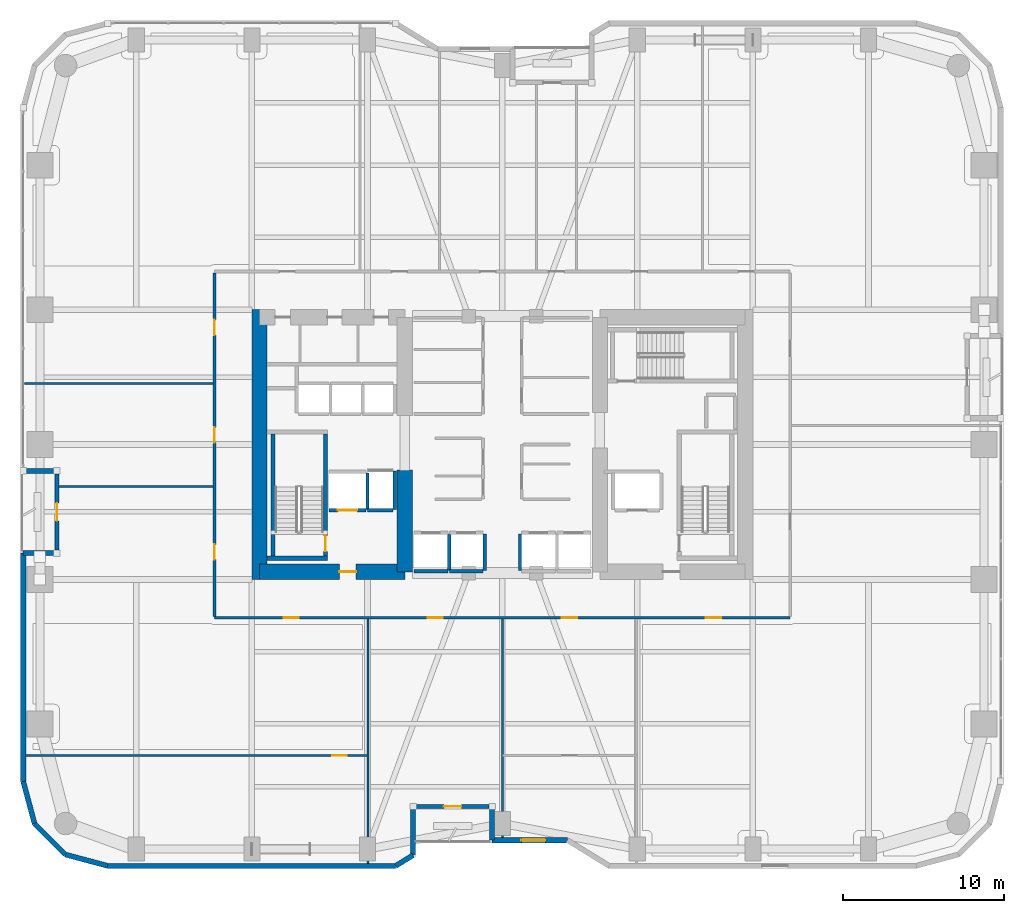
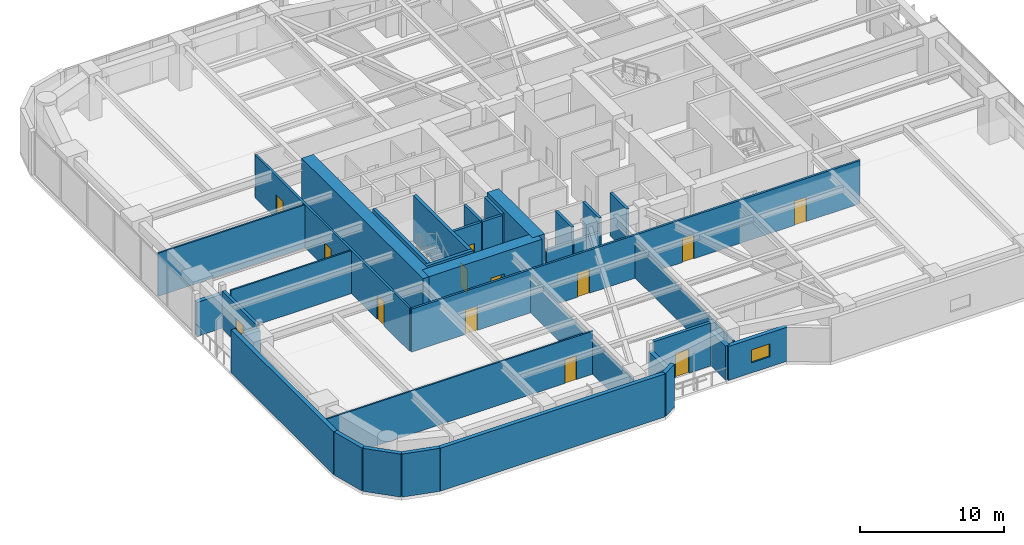
# One storey, part 22 of 28: 35 walls, 13 doors, 1 window, 14 openings.
"""IFC4 building model written with IfcOpenShell, lengths in metres."""

from ifc_helpers import new_model, si_unit, direction, frame, frame_2d, origin, place, context, subcontext, project, spatial, rectangle, extrude, material, layer, layer_set, type_object, element, fill, save


model = new_model("IFC4")

# Units and contexts
model_context = context("Model", 3, precision=1e-05, world=origin(), true_north=direction((0.0, 1.0)))
body_context = subcontext(model_context, "Body", "Model", "MODEL_VIEW")
ifc_project = project(units=[si_unit("LENGTHUNIT", "METRE"), si_unit("AREAUNIT", "SQUARE_METRE"), si_unit("VOLUMEUNIT", "CUBIC_METRE"), si_unit("PLANEANGLEUNIT", "RADIAN"), si_unit("MASSUNIT", "GRAM", prefix="KILO")], contexts=[model_context])

# Site, building, storey
site_placement = place(None, origin())
site = spatial("IfcSite", under=ifc_project, at=site_placement, CompositionType="ELEMENT")
building_placement = place(site_placement, origin())
building = spatial("IfcBuilding", under=site, at=building_placement, Name="Kiyonajd Concourse Tower", CompositionType="ELEMENT")
storey_placement = place(building_placement, frame((0.0, 0.0, 41.10009765625)))
storey = spatial("IfcBuildingStorey", under=building, at=storey_placement, Name="L11", CompositionType="ELEMENT", Elevation=41.10009765625)

# Walls
ifc_material_1 = material(Name="Concrete C80/95", Category="concrete")
ifc_layer_1 = layer(ifc_material_1, 0.949951171875)
ifc_layer_set_1 = layer_set([ifc_layer_1], Name="Concrete C80/95")
wall_type_1 = type_object("IfcWallType", Name="WL-CORE-950", PredefinedType="SHEAR", material=ifc_layer_set_1)
wall_1_placement = place(storey_placement, frame((32.875, 27.60009765625, 0.0), z_axis=(0.0, 0.0, 1.0), x_axis=(0.0, 1.0, 0.0)))
element("IfcWall", 1, at=wall_1_placement, inside=storey, type_object=wall_type_1, Name="L11 West Core Outer Shear Wall", PredefinedType="SHEAR", context=body_context, shape_type="SweptSolid", body=[
    extrude(rectangle(XDim=16.7998046875, YDim=0.949951171875, at=frame_2d((8.39990234375, 0.0))), origin(), (0.0, 0.0, 1.0), 3.89990234375),
])
wall_2_placement = place(storey_placement, frame((41.925048828125, 28.074951171875, 0.0), z_axis=(0.0, 0.0, 1.0), x_axis=(0.0, 1.0, 0.0)))
element("IfcWall", 2, at=wall_2_placement, inside=storey, type_object=wall_type_1, Name="L11 West Core Inner South Shear Wall", PredefinedType="SHEAR", context=body_context, shape_type="SweptSolid", body=[
    extrude(rectangle(XDim=6.324951171875, YDim=0.949951171875, at=frame_2d((3.16259765625, 0.0))), origin(), (0.0, 0.0, 1.0), 3.89990234375),
])

# Wall, opening, door
wall_3_placement = place(storey_placement, frame((32.875, 28.074951171875, 0.0), z_axis=(0.0, 0.0, 1.0), x_axis=(1.0, 0.0, 0.0)))
wall_3 = element("IfcWall", 3, at=wall_3_placement, inside=storey, type_object=wall_type_1, Name="L11 West Core South Shear Wall", PredefinedType="SHEAR", context=body_context, shape_type="SweptSolid", body=[
    extrude(rectangle(XDim=9.050048828125, YDim=0.949951171875, at=frame_2d((4.52490234375, 0.0))), origin(), (0.0, 0.0, 1.0), 3.89990234375),
])
opening_1_placement = place(wall_3_placement, frame((4.97509765625, 0.0, 0.0)))
opening_1 = element("IfcOpeningElement", 4, at=opening_1_placement, cuts=wall_3, Name="Opening DF5", PredefinedType="OPENING", context=body_context, shape_type="SweptSolid", body=[
    extrude(rectangle(XDim=1.050048828125, YDim=2.0400390625, at=frame_2d((0.52490234375, 1.02001953125))), frame((0.0, 0.48486328125, 0.0), z_axis=(0.0, -1.0, 0.0), x_axis=(1.0, 0.0, 0.0)), (0.0, 0.0, 1.0), 0.969970703125),
])
ifc_material_2 = material(Name="Brushed Stainless Steel Cab Assembly", Category="steel")
door_type_1 = type_object("IfcDoorType", Name="DR-FD45-1050", OperationType="NOTDEFINED", PredefinedType="DOOR", material=ifc_material_2)
door_1_placement = place(opening_1_placement, origin())
door_1 = element("IfcDoor", 5, at=door_1_placement, inside=storey, type_object=door_type_1, Name="L11 Firefighting Lift Lobby W Smoke Door", OperationType="SINGLE_SWING_LEFT", OverallHeight=2.0400390625, OverallWidth=1.050048828125, PredefinedType="DOOR", context=body_context, shape_type="SweptSolid", body=[
    extrude(rectangle(XDim=1.050048828125, YDim=2.0400390625, at=frame_2d((0.52490234375, 1.02001953125))), frame((0.0, 0.02490234375, 0.0), z_axis=(0.0, -1.0, 0.0), x_axis=(1.0, 0.0, 0.0)), (0.0, 0.0, 1.0), 0.050048828125),
])
fill(opening_1, door_1)

# Walls
ifc_material_3 = material(Name="Precast concrete C50/60", Category="concrete")
ifc_layer_2 = layer(ifc_material_3, 0.320068359375)
ifc_layer_set_2 = layer_set([ifc_layer_2], Name="Precast concrete C50/60")
wall_type_2 = type_object("IfcWallType", Name="WL-EXT-320", PredefinedType="SOLIDWALL", material=ifc_layer_set_2)
wall_4_placement = place(storey_placement, frame((18.866455078125, 12.3828125, 0.0), z_axis=(0.0, 0.0, 1.0), x_axis=(-0.25869736047, 0.965958423373, 0.0)))
element("IfcWall", 6, at=wall_4_placement, inside=storey, type_object=wall_type_2, Name="L11 Exterior Concrete Frame Wall 00", PredefinedType="SOLIDWALL", context=body_context, shape_type="SweptSolid", body=[
    extrude(rectangle(XDim=2.731201171875, YDim=0.320068359375, at=frame_2d((1.36572265625, 0.0))), origin(), (0.0, 0.0, 1.0), 3.639892578125),
])
wall_5_placement = place(storey_placement, frame((18.159912109375, 15.02099609375, 0.0), z_axis=(0.0, 0.0, 1.0), x_axis=(0.0, 1.0, 0.0)))
element("IfcWall", 7, at=wall_5_placement, inside=storey, type_object=wall_type_2, Name="L11 Exterior Concrete Frame Wall 01", PredefinedType="SOLIDWALL", context=body_context, shape_type="SweptSolid", body=[
    extrude(rectangle(XDim=14.218994140625, YDim=0.320068359375, at=frame_2d((7.109375, 0.0))), origin(), (0.0, 0.0, 1.0), 3.639892578125),
])
for number, where, z_axis, x_axis, name in (
    (8, (18.159912109375, 29.239990234375, 0.0), (0.0, 0.0, 1.0), (1.0, 0.0, 0.0), "L11 Exterior Concrete Frame Wall 02"),
    (9, (20.260009765625, 34.360107421875, 0.0), (0.0, 0.0, 1.0), (-1.0, 0.0, 0.0), "L11 Exterior Concrete Frame Wall 04"),
):
    element("IfcWall", number, at=place(storey_placement, frame(where, z_axis=z_axis, x_axis=x_axis)), inside=storey, type_object=wall_type_2, Name=name, PredefinedType="SOLIDWALL", context=body_context, shape_type="SweptSolid", body=[
        extrude(rectangle(XDim=2.10009765625, YDim=0.320068359375, at=frame_2d((1.050048828125, 0.0))), origin(), (0.0, 0.0, 1.0), 2.875),
    ])

# Wall, opening, window
wall_6_placement = place(storey_placement, frame((52.04541015625, 11.360107421875, 0.0), z_axis=(0.0, 0.0, 1.0), x_axis=(-1.0, 0.0, 0.0)))
wall_6 = element("IfcWall", 10, at=wall_6_placement, inside=storey, type_object=wall_type_2, Name="L11 Exterior Concrete Frame Wall 30", PredefinedType="SOLIDWALL", context=body_context, shape_type="SweptSolid", body=[
    extrude(rectangle(XDim=4.685302734375, YDim=0.320068359375, at=frame_2d((2.3427734375, 0.0))), origin(), (0.0, 0.0, 1.0), 2.875),
])
opening_2_placement = place(wall_6_placement, frame((1.367919921875, 0.0, 0.85009765625)))
opening_2 = element("IfcOpeningElement", 11, at=opening_2_placement, cuts=wall_6, Name="Opening WN2", PredefinedType="OPENING", context=body_context, shape_type="SweptSolid", body=[
    extrude(rectangle(XDim=1.5, YDim=1.10009765625, at=frame_2d((0.75, 0.550048828125))), frame((0.0, 0.169921875, 0.0), z_axis=(0.0, -1.0, 0.0), x_axis=(1.0, 0.0, 0.0)), (0.0, 0.0, 1.0), 0.340087890625),
])
ifc_material_4 = material(Name="Double Low-E Insulated Glass", Category="glass")
window_type = type_object("IfcWindowType", Name="WN-VIS-1500x1100", PartitioningType="SINGLE_PANEL", PredefinedType="WINDOW", material=ifc_material_4)
window_placement = place(opening_2_placement, origin())
window = element("IfcWindow", 12, at=window_placement, inside=storey, type_object=window_type, Name="L11 Modular Facade Vision Window 30", OverallHeight=1.10009765625, OverallWidth=1.5, PartitioningType="SINGLE_PANEL", PredefinedType="WINDOW", context=body_context, shape_type="SweptSolid", body=[
    extrude(rectangle(XDim=1.5, YDim=1.10009765625, at=frame_2d((0.75, 0.550048828125))), frame((0.0, 0.030029296875, 0.0), z_axis=(0.0, -1.0, 0.0), x_axis=(1.0, 0.0, 0.0)), (0.0, 0.0, 1.0), 0.06005859375),
])
fill(opening_2, window)

# Walls
wall_7_placement = place(storey_placement, frame((47.360107421875, 11.360107421875, 0.0), z_axis=(0.0, 0.0, 1.0), x_axis=(0.0, 1.0, 0.0)))
element("IfcWall", 13, at=wall_7_placement, inside=storey, type_object=wall_type_2, Name="L11 Exterior Concrete Frame Wall 31", PredefinedType="SOLIDWALL", context=body_context, shape_type="SweptSolid", body=[
    extrude(rectangle(XDim=2.099853515625, YDim=0.320068359375, at=frame_2d((1.0498046875, 0.0))), origin(), (0.0, 0.0, 1.0), 2.875),
])
wall_8_placement = place(storey_placement, frame((42.43994140625, 13.4599609375, 0.0), z_axis=(0.0, 0.0, 1.0), x_axis=(0.0, -1.0, 0.0)))
element("IfcWall", 14, at=wall_8_placement, inside=storey, type_object=wall_type_2, Name="L11 Exterior Concrete Frame Wall 33", PredefinedType="SOLIDWALL", context=body_context, shape_type="SweptSolid", body=[
    extrude(rectangle(XDim=3.032470703125, YDim=0.320068359375, at=frame_2d((1.51611328125, 0.0))), origin(), (0.0, 0.0, 1.0), 2.875),
])
wall_9_placement = place(storey_placement, frame((42.43994140625, 10.427490234375, 0.0), z_axis=(0.0, 0.0, 1.0), x_axis=(-0.851776724646, -0.523904964045, 0.0)))
element("IfcWall", 15, at=wall_9_placement, inside=storey, type_object=wall_type_2, Name="L11 Exterior Concrete Frame Wall 34", PredefinedType="SOLIDWALL", context=body_context, shape_type="SweptSolid", body=[
    extrude(rectangle(XDim=1.274169921875, YDim=0.320068359375, at=frame_2d((0.63720703125, 0.0))), origin(), (0.0, 0.0, 1.0), 3.639892578125),
])
wall_10_placement = place(storey_placement, frame((41.354736328125, 9.760009765625, 0.0), z_axis=(0.0, 0.0, 1.0), x_axis=(-1.0, 0.0, 0.0)))
element("IfcWall", 16, at=wall_10_placement, inside=storey, type_object=wall_type_2, Name="L11 Exterior Concrete Frame Wall 35", PredefinedType="SOLIDWALL", context=body_context, shape_type="SweptSolid", body=[
    extrude(rectangle(XDim=17.93359375, YDim=0.320068359375, at=frame_2d((8.966796875, 0.0))), origin(), (0.0, 0.0, 1.0), 3.639892578125),
])
wall_11_placement = place(storey_placement, frame((23.421142578125, 9.760009765625, 0.0), z_axis=(0.0, 0.0, 1.0), x_axis=(-0.965964405026, 0.25867502435, 0.0)))
element("IfcWall", 17, at=wall_11_placement, inside=storey, type_object=wall_type_2, Name="L11 Exterior Concrete Frame Wall 36", PredefinedType="SOLIDWALL", context=body_context, shape_type="SweptSolid", body=[
    extrude(rectangle(XDim=2.7314453125, YDim=0.320068359375, at=frame_2d((1.36572265625, 0.0))), origin(), (0.0, 0.0, 1.0), 3.639892578125),
])
wall_12_placement = place(storey_placement, frame((20.78271484375, 10.466552734375, 0.0), z_axis=(0.0, 0.0, 1.0), x_axis=(-0.707106781187, 0.707106781187, 0.0)))
element("IfcWall", 18, at=wall_12_placement, inside=storey, type_object=wall_type_2, Name="L11 Exterior Concrete Frame Wall 37", PredefinedType="SOLIDWALL", context=body_context, shape_type="SweptSolid", body=[
    extrude(rectangle(XDim=2.7099609375, YDim=0.320068359375, at=frame_2d((1.35498046875, 0.0))), origin(), (0.0, 0.0, 1.0), 3.639892578125),
])

# Wall, opening, door
ifc_layer_3 = layer(ifc_material_3, 0.239990234375)
ifc_layer_set_3 = layer_set([ifc_layer_3], Name="Precast concrete C50/60")
wall_type_3 = type_object("IfcWallType", Name="WL-LOG-240", PredefinedType="SOLIDWALL", material=ifc_layer_set_3)
wall_13_placement = place(storey_placement, frame((20.260009765625, 29.43505859375, 0.0), z_axis=(0.0, 0.0, 1.0), x_axis=(0.0, 1.0, 0.0)))
wall_13 = element("IfcWall", 19, at=wall_13_placement, inside=storey, type_object=wall_type_3, Name="L11 Recessed Loggia Thermal Wall LOG-W", PredefinedType="SOLIDWALL", context=body_context, shape_type="SweptSolid", body=[
    extrude(rectangle(XDim=4.72998046875, YDim=0.239990234375, at=frame_2d((2.364990234375, 0.0))), origin(), (0.0, 0.0, 1.0), 3.161865234375),
])
opening_3_placement = place(wall_13_placement, frame((1.81494140625, 0.0, 0.0)))
opening_3 = element("IfcOpeningElement", 20, at=opening_3_placement, cuts=wall_13, Name="Opening DL2", PredefinedType="OPENING", context=body_context, shape_type="SweptSolid", body=[
    extrude(rectangle(XDim=1.10009765625, YDim=2.0400390625, at=frame_2d((0.550048828125, 1.02001953125))), frame((0.0, 0.1298828125, 0.0), z_axis=(0.0, -1.0, 0.0), x_axis=(1.0, 0.0, 0.0)), (0.0, 0.0, 1.0), 0.260009765625),
])
ifc_material_5 = material(Name="Thermally Broken Anodised Aluminium", Category="aluminium")
door_type_2 = type_object("IfcDoorType", Name="DR-LOG-1100", OperationType="NOTDEFINED", PredefinedType="DOOR", material=ifc_material_5)
door_2_placement = place(opening_3_placement, origin())
door_2 = element("IfcDoor", 21, at=door_2_placement, inside=storey, type_object=door_type_2, Name="L11 Engawa Loggia Access Door LOG-W", OperationType="SINGLE_SWING_LEFT", OverallHeight=2.0400390625, OverallWidth=1.10009765625, PredefinedType="DOOR", context=body_context, shape_type="SweptSolid", body=[
    extrude(rectangle(XDim=1.10009765625, YDim=2.0400390625, at=frame_2d((0.550048828125, 1.02001953125))), frame((0.0, 0.02490234375, 0.0), z_axis=(0.0, -1.0, 0.0), x_axis=(1.0, 0.0, 0.0)), (0.0, 0.0, 1.0), 0.050048828125),
])
fill(opening_3, door_2)

wall_14_placement = place(storey_placement, frame((47.1650390625, 13.4599609375, 0.0), z_axis=(0.0, 0.0, 1.0), x_axis=(-1.0, 0.0, 0.0)))
wall_14 = element("IfcWall", 22, at=wall_14_placement, inside=storey, type_object=wall_type_3, Name="L11 Recessed Loggia Thermal Wall LOG-S", PredefinedType="SOLIDWALL", context=body_context, shape_type="SweptSolid", body=[
    extrude(rectangle(XDim=4.530029296875, YDim=0.239990234375, at=frame_2d((2.26513671875, 0.0))), origin(), (0.0, 0.0, 1.0), 3.639892578125),
])
opening_4_placement = place(wall_14_placement, frame((1.715087890625, 0.0, 0.0)))
opening_4 = element("IfcOpeningElement", 23, at=opening_4_placement, cuts=wall_14, Name="Opening DL2", PredefinedType="OPENING", context=body_context, shape_type="SweptSolid", body=[
    extrude(rectangle(XDim=1.10009765625, YDim=2.0400390625, at=frame_2d((0.550048828125, 1.02001953125))), frame((0.0, 0.1298828125, 0.0), z_axis=(0.0, -1.0, 0.0), x_axis=(1.0, 0.0, 0.0)), (0.0, 0.0, 1.0), 0.260009765625),
])
door_3_placement = place(opening_4_placement, origin())
door_3 = element("IfcDoor", 24, at=door_3_placement, inside=storey, type_object=door_type_2, Name="L11 Engawa Loggia Access Door LOG-S", OperationType="SINGLE_SWING_RIGHT", OverallHeight=2.0400390625, OverallWidth=1.10009765625, PredefinedType="DOOR", context=body_context, shape_type="SweptSolid", body=[
    extrude(rectangle(XDim=1.10009765625, YDim=2.0400390625, at=frame_2d((0.550048828125, 1.02001953125))), frame((0.0, 0.02490234375, 0.0), z_axis=(0.0, -1.0, 0.0), x_axis=(1.0, 0.0, 0.0)), (0.0, 0.0, 1.0), 0.050048828125),
])
fill(opening_4, door_3)

ifc_material_6 = material(Name="Gypsum Board on Cold-Formed Steel Stud", Category="steel")
ifc_layer_4 = layer(ifc_material_6, 0.125)
ifc_layer_set_4 = layer_set([ifc_layer_4], Name="Gypsum Board on Cold-Formed Steel Stud")
wall_type_4 = type_object("IfcWallType", Name="WL-PART-125", PredefinedType="PARTITIONING", material=ifc_layer_set_4)
wall_15_placement = place(storey_placement, frame((18.31494140625, 16.6298828125, 0.0), z_axis=(0.0, 0.0, 1.0), x_axis=(1.0, 0.0, 0.0)))
wall_15 = element("IfcWall", 25, at=wall_15_placement, inside=storey, type_object=wall_type_4, Name="L11 Interior Partition Wall", PredefinedType="PARTITIONING", context=body_context, shape_type="SweptSolid", body=[
    extrude(rectangle(XDim=21.324951171875, YDim=0.125, at=frame_2d((10.66259765625, 0.0))), origin(), (0.0, 0.0, 1.0), 3.639892578125),
])
opening_5_placement = place(wall_15_placement, frame((19.0849609375, 0.0, 0.0)))
opening_5 = element("IfcOpeningElement", 26, at=opening_5_placement, cuts=wall_15, Name="Opening DI2", PredefinedType="OPENING", context=body_context, shape_type="SweptSolid", body=[
    extrude(rectangle(XDim=0.89990234375, YDim=2.02001953125, at=frame_2d((0.449951171875, 1.010009765625))), frame((0.0, 0.072509765625, 0.0), z_axis=(0.0, -1.0, 0.0), x_axis=(1.0, 0.0, 0.0)), (0.0, 0.0, 1.0), 0.14501953125),
])
ifc_material_7 = material(Name="Natural Oak Acoustic Timber Veneer", Category="wood")
door_type_3 = type_object("IfcDoorType", Name="DR-INT-900", OperationType="NOTDEFINED", PredefinedType="DOOR", material=ifc_material_7)
door_4_placement = place(opening_5_placement, origin())
door_4 = element("IfcDoor", 27, at=door_4_placement, inside=storey, type_object=door_type_3, Name="L11 Interior Door", OperationType="SINGLE_SWING_LEFT", OverallHeight=2.02001953125, OverallWidth=0.89990234375, PredefinedType="DOOR", context=body_context, shape_type="SweptSolid", body=[
    extrude(rectangle(XDim=0.89990234375, YDim=2.02001953125, at=frame_2d((0.449951171875, 1.010009765625))), frame((0.0, 0.02490234375, 0.0), z_axis=(0.0, -1.0, 0.0), x_axis=(1.0, 0.0, 0.0)), (0.0, 0.0, 1.0), 0.050048828125),
])
fill(opening_5, door_4)

# Walls
wall_16_placement = place(storey_placement, frame((39.639892578125, 9.9150390625, 0.0), z_axis=(0.0, 0.0, 1.0), x_axis=(0.0, 1.0, 0.0)))
element("IfcWall", 28, at=wall_16_placement, inside=storey, type_object=wall_type_4, Name="L11 Interior Partition Wall", PredefinedType="PARTITIONING", context=body_context, shape_type="SweptSolid", body=[
    extrude(rectangle(XDim=15.218017578125, YDim=0.125, at=frame_2d((7.60888671875, 0.0))), origin(), (0.0, 0.0, 1.0), 2.929931640625),
])
wall_17_placement = place(storey_placement, frame((48.0, 11.514892578125, 0.0), z_axis=(0.0, 0.0, 1.0), x_axis=(0.0, 1.0, 0.0)))
element("IfcWall", 29, at=wall_17_placement, inside=storey, type_object=wall_type_4, Name="L11 Interior Partition Wall", PredefinedType="PARTITIONING", context=body_context, shape_type="SweptSolid", body=[
    extrude(rectangle(XDim=13.6181640625, YDim=0.125, at=frame_2d((6.80908203125, 0.0))), origin(), (0.0, 0.0, 1.0), 2.929931640625),
])
wall_18_placement = place(storey_placement, frame((20.375, 33.39990234375, 0.0), z_axis=(0.0, 0.0, 1.0), x_axis=(1.0, 0.0, 0.0)))
element("IfcWall", 30, at=wall_18_placement, inside=storey, type_object=wall_type_4, Name="L11 Interior Partition Wall", PredefinedType="PARTITIONING", context=body_context, shape_type="SweptSolid", body=[
    extrude(rectangle(XDim=9.613037109375, YDim=0.125, at=frame_2d((4.806640625, 0.0))), origin(), (0.0, 0.0, 1.0), 3.639892578125),
])
wall_19_placement = place(storey_placement, frame((18.2451171875, 39.800048828125, 0.0), z_axis=(0.0, 0.0, 1.0), x_axis=(1.0, 0.0, 0.0)))
element("IfcWall", 31, at=wall_19_placement, inside=storey, type_object=wall_type_4, Name="L11 Interior Partition Wall", PredefinedType="PARTITIONING", context=body_context, shape_type="SweptSolid", body=[
    extrude(rectangle(XDim=11.742919921875, YDim=0.125, at=frame_2d((5.87158203125, 0.0))), origin(), (0.0, 0.0, 1.0), 3.639892578125),
])

# Wall, opening, door
ifc_layer_5 = layer(ifc_material_6, 0.2099609375)
ifc_layer_set_5 = layer_set([ifc_layer_5], Name="Gypsum Board on Cold-Formed Steel Stud")
wall_type_5 = type_object("IfcWallType", Name="WL-SHAFT-210", PredefinedType="PARTITIONING", material=ifc_layer_set_5)
wall_20_placement = place(storey_placement, frame((37.199951171875, 31.89990234375, 0.0), z_axis=(0.0, 0.0, 1.0), x_axis=(1.0, 0.0, 0.0)))
wall_20 = element("IfcWall", 32, at=wall_20_placement, inside=storey, type_object=wall_type_5, Name="L11 Shaft Enclosure Wall", PredefinedType="PARTITIONING", context=body_context, shape_type="SweptSolid", body=[
    extrude(rectangle(XDim=2.300048828125, YDim=0.2099609375, at=frame_2d((1.14990234375, 0.0))), origin(), (0.0, 0.0, 1.0), 3.639892578125),
])
opening_6_placement = place(wall_20_placement, frame((0.550048828125, 0.0, 0.0)))
opening_6 = element("IfcOpeningElement", 33, at=opening_6_placement, cuts=wall_20, Name="Opening LD2", PredefinedType="OPENING", context=body_context, shape_type="SweptSolid", body=[
    extrude(rectangle(XDim=1.199951171875, YDim=2.0400390625, at=frame_2d((0.60009765625, 1.02001953125))), frame((0.0, 0.114990234375, 0.0), z_axis=(0.0, -1.0, 0.0), x_axis=(1.0, 0.0, 0.0)), (0.0, 0.0, 1.0), 0.22998046875),
])
door_type_4 = type_object("IfcDoorType", Name="DR-LD-1200", OperationType="DOUBLE_DOOR_SLIDING", PredefinedType="DOOR", material=ifc_material_2)
door_5_placement = place(opening_6_placement, origin())
door_5 = element("IfcDoor", 34, at=door_5_placement, inside=storey, type_object=door_type_4, Name="L11 Lift FFL1 Sliding Landing Door", OperationType="DOUBLE_DOOR_SLIDING", OverallHeight=2.0400390625, OverallWidth=1.199951171875, PredefinedType="DOOR", context=body_context, shape_type="SweptSolid", body=[
    extrude(rectangle(XDim=1.199951171875, YDim=2.0400390625, at=frame_2d((0.60009765625, 1.02001953125))), frame((0.0, 0.02490234375, 0.0), z_axis=(0.0, -1.0, 0.0), x_axis=(1.0, 0.0, 0.0)), (0.0, 0.0, 1.0), 0.050048828125),
])
fill(opening_6, door_5)

# Walls
wall_21_placement = place(storey_placement, frame((39.60009765625, 31.9599609375, 0.0), z_axis=(0.0, 0.0, 1.0), x_axis=(0.0, 1.0, 0.0)))
element("IfcWall", 35, at=wall_21_placement, inside=storey, type_object=wall_type_5, Name="L11 Shaft Enclosure Wall", PredefinedType="PARTITIONING", context=body_context, shape_type="SweptSolid", body=[
    extrude(rectangle(XDim=2.280029296875, YDim=0.2099609375, at=frame_2d((1.14013671875, 0.0))), origin(), (0.0, 0.0, 1.0), 3.639892578125),
])
wall_22_placement = place(storey_placement, frame((39.60009765625, 31.89990234375, 0.0), z_axis=(0.0, 0.0, 1.0), x_axis=(1.0, 0.0, 0.0)))
element("IfcWall", 36, at=wall_22_placement, inside=storey, type_object=wall_type_5, Name="L11 Shaft Enclosure Wall", PredefinedType="PARTITIONING", context=body_context, shape_type="SweptSolid", body=[
    extrude(rectangle(XDim=1.599853515625, YDim=0.2099609375, at=frame_2d((0.7998046875, 0.0))), origin(), (0.0, 0.0, 1.0), 3.639892578125),
])
wall_23_placement = place(storey_placement, frame((41.300048828125, 31.9599609375, 0.0), z_axis=(0.0, 0.0, 1.0), x_axis=(0.0, 1.0, 0.0)))
element("IfcWall", 37, at=wall_23_placement, inside=storey, type_object=wall_type_5, Name="L11 Shaft Enclosure Wall", PredefinedType="PARTITIONING", context=body_context, shape_type="SweptSolid", body=[
    extrude(rectangle(XDim=2.380126953125, YDim=0.2099609375, at=frame_2d((1.18994140625, 0.0))), origin(), (0.0, 0.0, 1.0), 3.639892578125),
])
wall_24_placement = place(storey_placement, frame((42.5, 28.10009765625, 0.0), z_axis=(0.0, 0.0, 1.0), x_axis=(1.0, 0.0, 0.0)))
element("IfcWall", 38, at=wall_24_placement, inside=storey, type_object=wall_type_5, Name="L11 Shaft Enclosure Wall", PredefinedType="PARTITIONING", context=body_context, shape_type="SweptSolid", body=[
    extrude(rectangle(XDim=2.10009765625, YDim=0.2099609375, at=frame_2d((1.050048828125, 0.0))), origin(), (0.0, 0.0, 1.0), 2.52490234375),
])
wall_25_placement = place(storey_placement, frame((44.699951171875, 28.159912109375, 0.0), z_axis=(0.0, 0.0, 1.0), x_axis=(0.0, 1.0, 0.0)))
element("IfcWall", 39, at=wall_25_placement, inside=storey, type_object=wall_type_5, Name="L11 Shaft Enclosure Wall", PredefinedType="PARTITIONING", context=body_context, shape_type="SweptSolid", body=[
    extrude(rectangle(XDim=2.280029296875, YDim=0.2099609375, at=frame_2d((1.14013671875, 0.0))), origin(), (0.0, 0.0, 1.0), 3.639892578125),
])
wall_26_placement = place(storey_placement, frame((44.699951171875, 28.10009765625, 0.0), z_axis=(0.0, 0.0, 1.0), x_axis=(1.0, 0.0, 0.0)))
element("IfcWall", 40, at=wall_26_placement, inside=storey, type_object=wall_type_5, Name="L11 Shaft Enclosure Wall", PredefinedType="PARTITIONING", context=body_context, shape_type="SweptSolid", body=[
    extrude(rectangle(XDim=2.10009765625, YDim=0.2099609375, at=frame_2d((1.050048828125, 0.0))), origin(), (0.0, 0.0, 1.0), 2.52490234375),
])
for number, where, z_axis, x_axis, name in (
    (41, (46.89990234375, 28.159912109375, 0.0), (0.0, 0.0, 1.0), (0.0, 1.0, 0.0), "L11 Shaft Enclosure Wall"),
    (42, (49.10009765625, 28.159912109375, 0.0), (0.0, 0.0, 1.0), (0.0, 1.0, 0.0), "L11 Shaft Enclosure Wall"),
):
    element("IfcWall", number, at=place(storey_placement, frame(where, z_axis=z_axis, x_axis=x_axis)), inside=storey, type_object=wall_type_5, Name=name, PredefinedType="PARTITIONING", context=body_context, shape_type="SweptSolid", body=[
        extrude(rectangle(XDim=2.280029296875, YDim=0.2099609375, at=frame_2d((1.14013671875, 0.0))), origin(), (0.0, 0.0, 1.0), 3.639892578125),
    ])

# Wall, openings, doors
ifc_layer_6 = layer(ifc_material_6, 0.169921875)
ifc_layer_set_6 = layer_set([ifc_layer_6], Name="Gypsum Board on Cold-Formed Steel Stud")
wall_type_6 = type_object("IfcWallType", Name="WL-SMK-170", PredefinedType="PARTITIONING", material=ifc_layer_set_6)
wall_27_placement = place(storey_placement, frame((30.074951171875, 25.219970703125, 0.0), z_axis=(0.0, 0.0, 1.0), x_axis=(1.0, 0.0, 0.0)))
wall_27 = element("IfcWall", 43, at=wall_27_placement, inside=storey, type_object=wall_type_6, Name="L11 Interior Partition Wall", PredefinedType="PARTITIONING", context=body_context, shape_type="SweptSolid", body=[
    extrude(rectangle(XDim=35.85009765625, YDim=0.169921875, at=frame_2d((17.925048828125, 0.0))), origin(), (0.0, 0.0, 1.0), 3.639892578125),
])
opening_7_placement = place(wall_27_placement, frame((4.30810546875, 0.0, 0.0)))
opening_7 = element("IfcOpeningElement", 44, at=opening_7_placement, cuts=wall_27, Name="Opening DI1", PredefinedType="OPENING", context=body_context, shape_type="SweptSolid", body=[
    extrude(rectangle(XDim=0.949951171875, YDim=2.0400390625, at=frame_2d((0.47509765625, 1.02001953125))), frame((0.0, 0.094970703125, 0.0), z_axis=(0.0, -1.0, 0.0), x_axis=(1.0, 0.0, 0.0)), (0.0, 0.0, 1.0), 0.18994140625),
])
opening_8_placement = place(wall_27_placement, frame((13.27001953125, 0.0, 0.0)))
opening_8 = element("IfcOpeningElement", 45, at=opening_8_placement, cuts=wall_27, Name="Opening DI1", PredefinedType="OPENING", context=body_context, shape_type="SweptSolid", body=[
    extrude(rectangle(XDim=0.949951171875, YDim=2.0400390625, at=frame_2d((0.47509765625, 1.02001953125))), frame((0.0, 0.094970703125, 0.0), z_axis=(0.0, -1.0, 0.0), x_axis=(1.0, 0.0, 0.0)), (0.0, 0.0, 1.0), 0.18994140625),
])
opening_9_placement = place(wall_27_placement, frame((21.6298828125, 0.0, 0.0)))
opening_9 = element("IfcOpeningElement", 46, at=opening_9_placement, cuts=wall_27, Name="Opening DI1", PredefinedType="OPENING", context=body_context, shape_type="SweptSolid", body=[
    extrude(rectangle(XDim=0.949951171875, YDim=2.0400390625, at=frame_2d((0.47509765625, 1.02001953125))), frame((0.0, 0.094970703125, 0.0), z_axis=(0.0, -1.0, 0.0), x_axis=(1.0, 0.0, 0.0)), (0.0, 0.0, 1.0), 0.18994140625),
])
opening_10_placement = place(wall_27_placement, frame((30.592041015625, 0.0, 0.0)))
opening_10 = element("IfcOpeningElement", 47, at=opening_10_placement, cuts=wall_27, Name="Opening DI1", PredefinedType="OPENING", context=body_context, shape_type="SweptSolid", body=[
    extrude(rectangle(XDim=0.949951171875, YDim=2.0400390625, at=frame_2d((0.47509765625, 1.02001953125))), frame((0.0, 0.094970703125, 0.0), z_axis=(0.0, -1.0, 0.0), x_axis=(1.0, 0.0, 0.0)), (0.0, 0.0, 1.0), 0.18994140625),
])
door_type_5 = type_object("IfcDoorType", Name="DR-INT-950", OperationType="NOTDEFINED", PredefinedType="DOOR", material=ifc_material_7)
door_6_placement = place(opening_7_placement, origin())
door_6 = element("IfcDoor", 48, at=door_6_placement, inside=storey, type_object=door_type_5, Name="L11 Interior Door", OperationType="SINGLE_SWING_RIGHT", OverallHeight=2.0400390625, OverallWidth=0.949951171875, PredefinedType="DOOR", context=body_context, shape_type="SweptSolid", body=[
    extrude(rectangle(XDim=0.949951171875, YDim=2.0400390625, at=frame_2d((0.47509765625, 1.02001953125))), frame((0.0, 0.02490234375, 0.0), z_axis=(0.0, -1.0, 0.0), x_axis=(1.0, 0.0, 0.0)), (0.0, 0.0, 1.0), 0.050048828125),
])
fill(opening_7, door_6)
door_7_placement = place(opening_8_placement, origin())
door_7 = element("IfcDoor", 49, at=door_7_placement, inside=storey, type_object=door_type_5, Name="L11 Interior Door", OperationType="SINGLE_SWING_LEFT", OverallHeight=2.0400390625, OverallWidth=0.949951171875, PredefinedType="DOOR", context=body_context, shape_type="SweptSolid", body=[
    extrude(rectangle(XDim=0.949951171875, YDim=2.0400390625, at=frame_2d((0.47509765625, 1.02001953125))), frame((0.0, 0.02490234375, 0.0), z_axis=(0.0, -1.0, 0.0), x_axis=(1.0, 0.0, 0.0)), (0.0, 0.0, 1.0), 0.050048828125),
])
fill(opening_8, door_7)
door_8_placement = place(opening_9_placement, origin())
door_8 = element("IfcDoor", 50, at=door_8_placement, inside=storey, type_object=door_type_5, Name="L11 Interior Door", OperationType="SINGLE_SWING_LEFT", OverallHeight=2.0400390625, OverallWidth=0.949951171875, PredefinedType="DOOR", context=body_context, shape_type="SweptSolid", body=[
    extrude(rectangle(XDim=0.949951171875, YDim=2.0400390625, at=frame_2d((0.47509765625, 1.02001953125))), frame((0.0, 0.02490234375, 0.0), z_axis=(0.0, -1.0, 0.0), x_axis=(1.0, 0.0, 0.0)), (0.0, 0.0, 1.0), 0.050048828125),
])
fill(opening_9, door_8)
door_9_placement = place(opening_10_placement, origin())
door_9 = element("IfcDoor", 51, at=door_9_placement, inside=storey, type_object=door_type_5, Name="L11 Interior Door", OperationType="SINGLE_SWING_RIGHT", OverallHeight=2.0400390625, OverallWidth=0.949951171875, PredefinedType="DOOR", context=body_context, shape_type="SweptSolid", body=[
    extrude(rectangle(XDim=0.949951171875, YDim=2.0400390625, at=frame_2d((0.47509765625, 1.02001953125))), frame((0.0, 0.02490234375, 0.0), z_axis=(0.0, -1.0, 0.0), x_axis=(1.0, 0.0, 0.0)), (0.0, 0.0, 1.0), 0.050048828125),
])
fill(opening_10, door_9)

wall_28_placement = place(storey_placement, frame((30.074951171875, 25.306884765625, 0.0), z_axis=(0.0, 0.0, 1.0), x_axis=(0.0, 1.0, 0.0)))
wall_28 = element("IfcWall", 52, at=wall_28_placement, inside=storey, type_object=wall_type_6, Name="L11 Interior Partition Wall", PredefinedType="PARTITIONING", context=body_context, shape_type="SweptSolid", body=[
    extrude(rectangle(XDim=21.38623046875, YDim=0.169921875, at=frame_2d((10.693115234375, 0.0))), origin(), (0.0, 0.0, 1.0), 3.639892578125),
])
opening_11_placement = place(wall_28_placement, frame((3.528076171875, 0.0, 0.0)))
opening_11 = element("IfcOpeningElement", 53, at=opening_11_placement, cuts=wall_28, Name="Opening DI1", PredefinedType="OPENING", context=body_context, shape_type="SweptSolid", body=[
    extrude(rectangle(XDim=0.949951171875, YDim=2.0400390625, at=frame_2d((0.47509765625, 1.02001953125))), frame((0.0, 0.094970703125, 0.0), z_axis=(0.0, -1.0, 0.0), x_axis=(1.0, 0.0, 0.0)), (0.0, 0.0, 1.0), 0.18994140625),
])
opening_12_placement = place(wall_28_placement, frame((10.818115234375, 0.0, 0.0)))
opening_12 = element("IfcOpeningElement", 54, at=opening_12_placement, cuts=wall_28, Name="Opening DI1", PredefinedType="OPENING", context=body_context, shape_type="SweptSolid", body=[
    extrude(rectangle(XDim=0.949951171875, YDim=2.0400390625, at=frame_2d((0.47509765625, 1.02001953125))), frame((0.0, 0.094970703125, 0.0), z_axis=(0.0, -1.0, 0.0), x_axis=(1.0, 0.0, 0.0)), (0.0, 0.0, 1.0), 0.18994140625),
])
opening_13_placement = place(wall_28_placement, frame((17.508056640625, 0.0, 0.0)))
opening_13 = element("IfcOpeningElement", 55, at=opening_13_placement, cuts=wall_28, Name="Opening DI1", PredefinedType="OPENING", context=body_context, shape_type="SweptSolid", body=[
    extrude(rectangle(XDim=0.949951171875, YDim=2.0400390625, at=frame_2d((0.47509765625, 1.02001953125))), frame((0.0, 0.094970703125, 0.0), z_axis=(0.0, -1.0, 0.0), x_axis=(1.0, 0.0, 0.0)), (0.0, 0.0, 1.0), 0.18994140625),
])
door_10_placement = place(opening_11_placement, origin())
door_10 = element("IfcDoor", 56, at=door_10_placement, inside=storey, type_object=door_type_5, Name="L11 Interior Door", OperationType="SINGLE_SWING_LEFT", OverallHeight=2.0400390625, OverallWidth=0.949951171875, PredefinedType="DOOR", context=body_context, shape_type="SweptSolid", body=[
    extrude(rectangle(XDim=0.949951171875, YDim=2.0400390625, at=frame_2d((0.47509765625, 1.02001953125))), frame((0.0, 0.02490234375, 0.0), z_axis=(0.0, -1.0, 0.0), x_axis=(1.0, 0.0, 0.0)), (0.0, 0.0, 1.0), 0.050048828125),
])
fill(opening_11, door_10)
door_11_placement = place(opening_12_placement, origin())
door_11 = element("IfcDoor", 57, at=door_11_placement, inside=storey, type_object=door_type_5, Name="L11 Interior Door", OperationType="SINGLE_SWING_RIGHT", OverallHeight=2.0400390625, OverallWidth=0.949951171875, PredefinedType="DOOR", context=body_context, shape_type="SweptSolid", body=[
    extrude(rectangle(XDim=0.949951171875, YDim=2.0400390625, at=frame_2d((0.47509765625, 1.02001953125))), frame((0.0, 0.02490234375, 0.0), z_axis=(0.0, -1.0, 0.0), x_axis=(1.0, 0.0, 0.0)), (0.0, 0.0, 1.0), 0.050048828125),
])
fill(opening_12, door_11)
door_12_placement = place(opening_13_placement, origin())
door_12 = element("IfcDoor", 58, at=door_12_placement, inside=storey, type_object=door_type_5, Name="L11 Interior Door", OperationType="SINGLE_SWING_LEFT", OverallHeight=2.0400390625, OverallWidth=0.949951171875, PredefinedType="DOOR", context=body_context, shape_type="SweptSolid", body=[
    extrude(rectangle(XDim=0.949951171875, YDim=2.0400390625, at=frame_2d((0.47509765625, 1.02001953125))), frame((0.0, 0.02490234375, 0.0), z_axis=(0.0, -1.0, 0.0), x_axis=(1.0, 0.0, 0.0)), (0.0, 0.0, 1.0), 0.050048828125),
])
fill(opening_13, door_12)

# Walls
ifc_material_8 = material(Name="Concrete C50/60", Category="concrete")
ifc_layer_7 = layer(ifc_material_8, 0.260009765625)
ifc_layer_set_7 = layer_set([ifc_layer_7], Name="Concrete C50/60")
wall_type_7 = type_object("IfcWallType", Name="WL-STAIR-260", PredefinedType="SHEAR", material=ifc_layer_set_7)
wall_29_placement = place(storey_placement, frame((33.35009765625, 28.919921875, 0.0), z_axis=(0.0, 0.0, 1.0), x_axis=(1.0, 0.0, 0.0)))
element("IfcWall", 59, at=wall_29_placement, inside=storey, type_object=wall_type_7, Name="L11 Stair ST1 Structural South Wall", PredefinedType="SHEAR", context=body_context, shape_type="SweptSolid", body=[
    extrude(rectangle(XDim=3.760009765625, YDim=0.260009765625, at=frame_2d((1.8798828125, 0.0))), origin(), (0.0, 0.0, 1.0), 3.89990234375),
])
wall_30_placement = place(storey_placement, frame((33.719970703125, 29.050048828125, 0.0), z_axis=(0.0, 0.0, 1.0), x_axis=(0.0, 1.0, 0.0)))
element("IfcWall", 60, at=wall_30_placement, inside=storey, type_object=wall_type_7, Name="L11 Stair ST1 Structural West Wall", PredefinedType="SHEAR", context=body_context, shape_type="SweptSolid", body=[
    extrude(rectangle(XDim=7.599853515625, YDim=0.260009765625, at=frame_2d((3.7998046875, 0.0))), origin(), (0.0, 0.0, 1.0), 3.89990234375),
])

# Wall, opening, door
wall_31_placement = place(storey_placement, frame((36.97998046875, 29.050048828125, 0.0), z_axis=(0.0, 0.0, 1.0), x_axis=(0.0, 1.0, 0.0)))
wall_31 = element("IfcWall", 61, at=wall_31_placement, inside=storey, type_object=wall_type_7, Name="L11 Stair ST1 Structural East Wall", PredefinedType="SHEAR", context=body_context, shape_type="SweptSolid", body=[
    extrude(rectangle(XDim=7.599853515625, YDim=0.260009765625, at=frame_2d((3.7998046875, 0.0))), origin(), (0.0, 0.0, 1.0), 3.89990234375),
])
opening_14_placement = place(wall_31_placement, frame((0.300048828125, 0.0, 0.0)))
opening_14 = element("IfcOpeningElement", 62, at=opening_14_placement, cuts=wall_31, Name="Opening DF1", PredefinedType="OPENING", context=body_context, shape_type="SweptSolid", body=[
    extrude(rectangle(XDim=1.0, YDim=2.0400390625, at=frame_2d((0.5, 1.02001953125))), frame((0.0, 0.139892578125, 0.0), z_axis=(0.0, -1.0, 0.0), x_axis=(1.0, 0.0, 0.0)), (0.0, 0.0, 1.0), 0.280029296875),
])
door_type_6 = type_object("IfcDoorType", Name="DR-FD90-1000", OperationType="NOTDEFINED", PredefinedType="DOOR", material=ifc_material_2)
door_13_placement = place(opening_14_placement, origin())
door_13 = element("IfcDoor", 63, at=door_13_placement, inside=storey, type_object=door_type_6, Name="L11 Stair ST1 FSAE Door", OperationType="SINGLE_SWING_LEFT", OverallHeight=2.0400390625, OverallWidth=1.0, PredefinedType="DOOR", context=body_context, shape_type="SweptSolid", body=[
    extrude(rectangle(XDim=1.0, YDim=2.0400390625, at=frame_2d((0.5, 1.02001953125))), frame((0.0, 0.02490234375, 0.0), z_axis=(0.0, -1.0, 0.0), x_axis=(1.0, 0.0, 0.0)), (0.0, 0.0, 1.0), 0.050048828125),
])
fill(opening_14, door_13)

save(model, "model.ifc")
